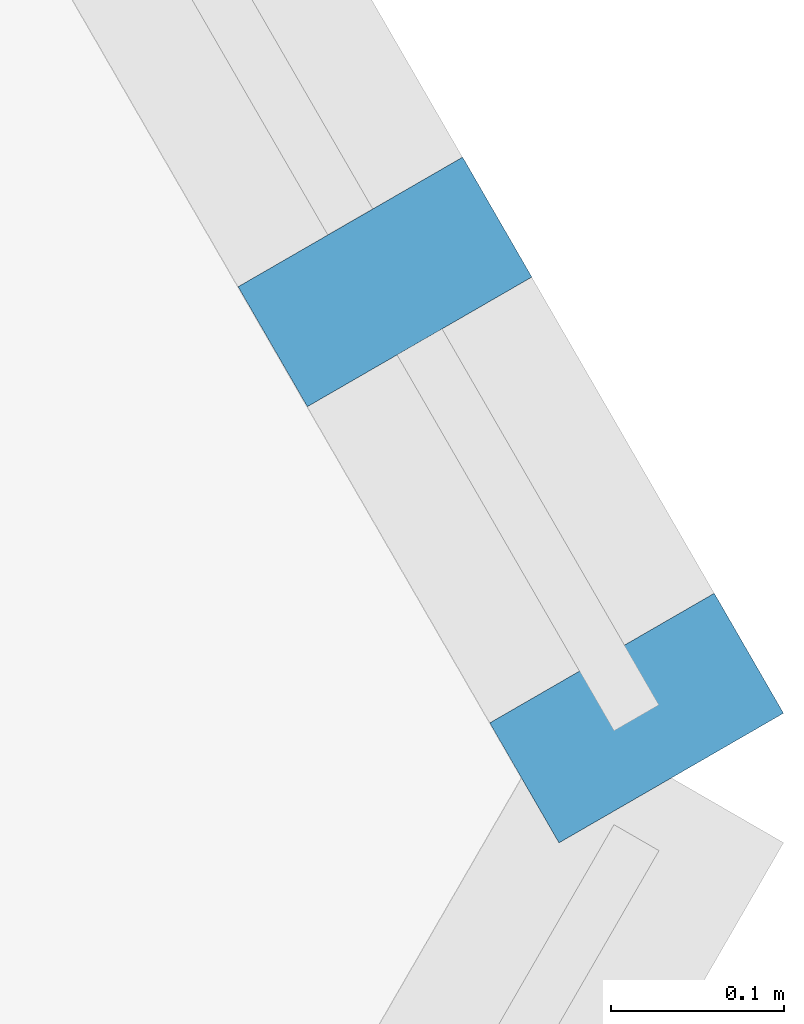
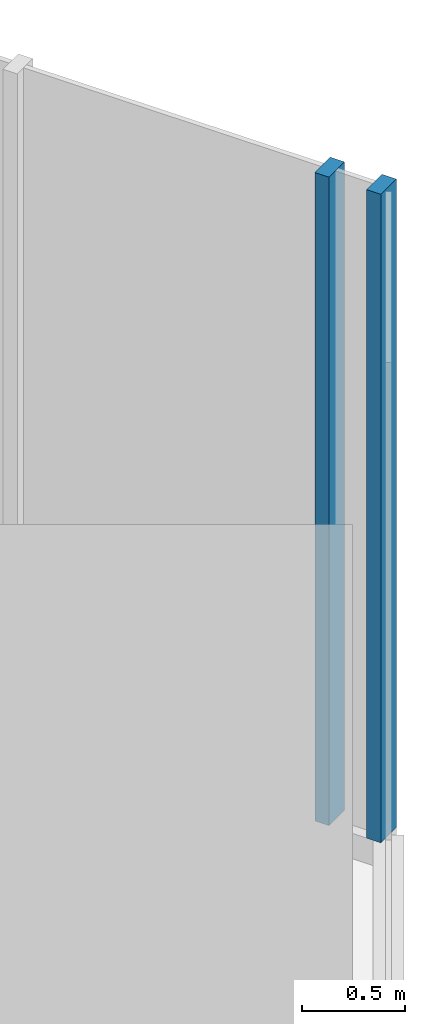
# One storey, part 14 of 29: 2 members, 1 element without a shape of its own.
"""IFC4 building model written with IfcOpenShell, lengths in metres."""

from ifc_helpers import new_model, si_unit, direction, frame, origin, origin_2d, place, context, subcontext, project, spatial, rectangle, extrude, material, layer, layer_set, material_profile, profile_set, type_object, element, aggregate, save


model = new_model("IFC4")

# Units and contexts
model_context = context("Model", 3, precision=1e-05, world=origin(), true_north=direction((0.0, 1.0)))
body_context = subcontext(model_context, "Body", "Model", "MODEL_VIEW")
ifc_project = project(units=[si_unit("LENGTHUNIT", "METRE"), si_unit("AREAUNIT", "SQUARE_METRE"), si_unit("VOLUMEUNIT", "CUBIC_METRE"), si_unit("PLANEANGLEUNIT", "RADIAN"), si_unit("MASSUNIT", "GRAM", prefix="KILO")], contexts=[model_context])

# Site, building, storey
site_placement = place(None, origin())
site = spatial("IfcSite", under=ifc_project, at=site_placement, CompositionType="ELEMENT")
building_placement = place(site_placement, origin())
building = spatial("IfcBuilding", under=site, at=building_placement, Name="Firuza Gate Tower and Library", CompositionType="ELEMENT")
storey_placement = place(building_placement, frame((0.0, 0.0, 44.199951171875)))
storey = spatial("IfcBuildingStorey", under=building, at=storey_placement, Name="L09", CompositionType="ELEMENT", Elevation=44.199951171875)

# Curtain wall, members
ifc_material_1 = material(Name="Aluminium 6063-T6", Category="aluminium")
ifc_layer = layer(ifc_material_1, 0.14990234375)
ifc_layer_set = layer_set([ifc_layer], Name="Unitised curtain wall, offices")
curtain_wall_type = type_object("IfcCurtainWallType", Name="Unitised curtain wall, offices", PredefinedType="NOTDEFINED", material=ifc_layer_set)
curtain_wall_placement = place(storey_placement, origin())
curtain_wall = element("IfcCurtainWall", 1, at=curtain_wall_placement, inside=storey, type_object=curtain_wall_type, Name="CW1 L09 E face", PredefinedType="NOTDEFINED")
ifc_material_2 = material(Name="Aluminium 6063-T6", Category="aluminium")
ifc_material_profile = material_profile(ifc_material_2, rectangle(XDim=0.14990234375, YDim=0.080078125, at=origin_2d()))
ifc_profile_set = profile_set([ifc_material_profile], Name="Aluminium 6063-T6")
member_type = type_object("IfcMemberType", Name="Curtain wall mullion 80x150", PredefinedType="MULLION", material=ifc_profile_set)
member_1_placement = place(storey_placement, frame((107.466552734375, 60.4853515625, 0.150146484375), z_axis=(0.0, 0.0, 1.0), x_axis=(-0.866025403784, -0.5, 0.0)))
member_1 = element("IfcMember", 2, at=member_1_placement, type_object=member_type, Name="Mullion", PredefinedType="MULLION", context=body_context, shape_type="SweptSolid", body=[
    extrude(rectangle(XDim=0.14990234375, YDim=0.080078125, at=origin_2d()), origin(), (0.0, 0.0, 1.0), 3.849853515625),
])
member_2_placement = place(storey_placement, frame((107.321044921875, 60.737548828125, 0.150146484375), z_axis=(0.0, 0.0, 1.0), x_axis=(-0.866025403784, -0.5, 0.0)))
member_2 = element("IfcMember", 3, at=member_2_placement, type_object=member_type, Name="Mullion", PredefinedType="MULLION", context=body_context, shape_type="SweptSolid", body=[
    extrude(rectangle(XDim=0.14990234375, YDim=0.080078125, at=origin_2d()), origin(), (0.0, 0.0, 1.0), 3.849853515625),
])
aggregate(curtain_wall, [member_1, member_2])

save(model, "model.ifc")
